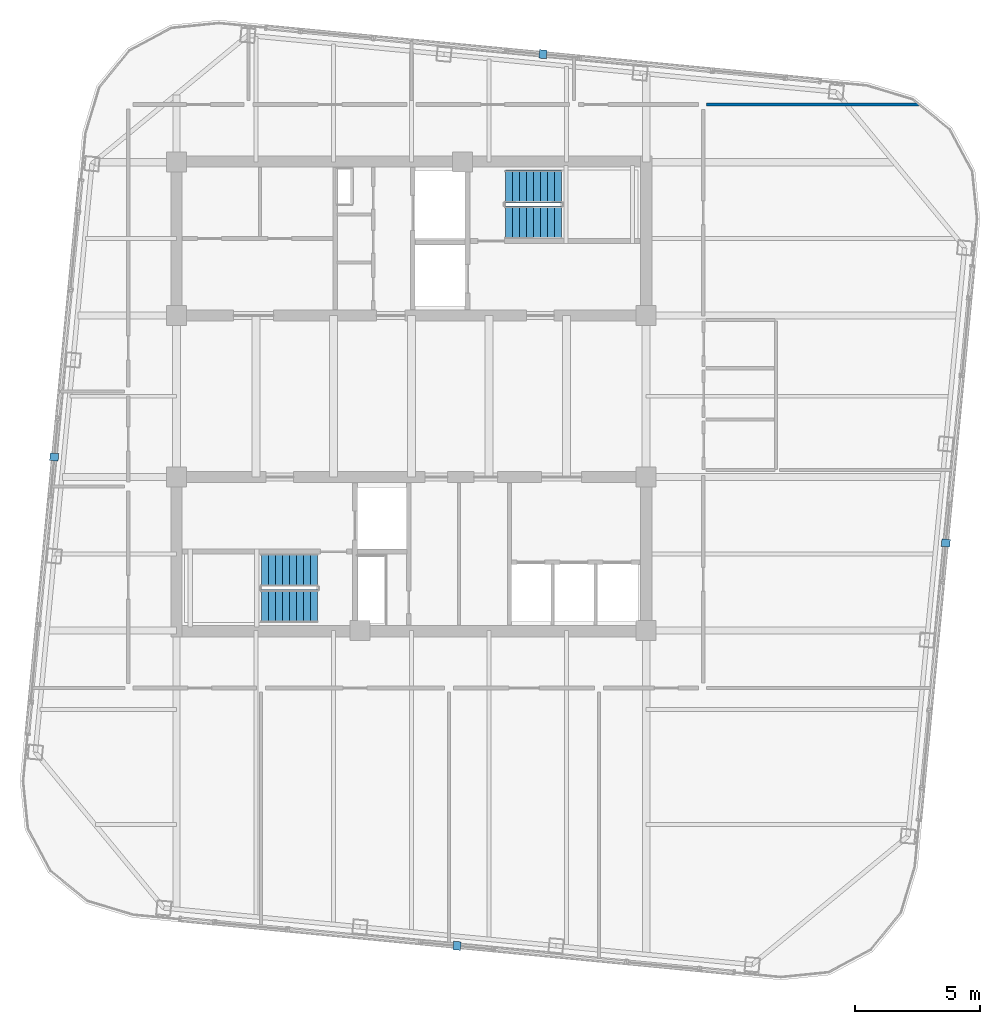
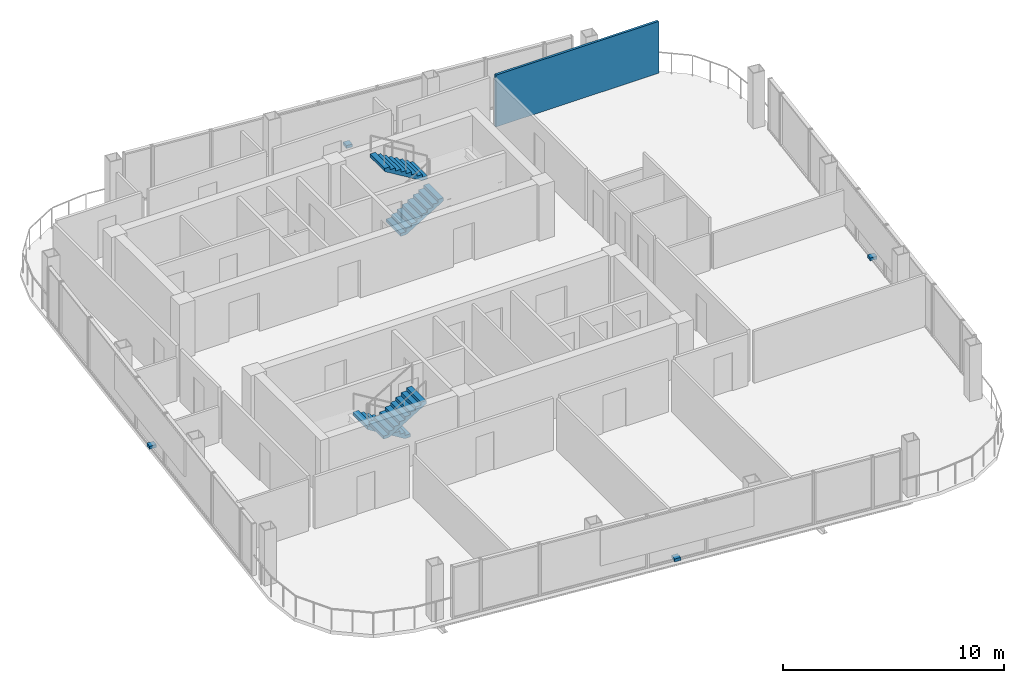
# One storey, part 19 of 23: 4 discrete accessories, 4 stair flights, 1 wall, 2 elements without a shape of their own.
"""IFC4 building model written with IfcOpenShell, lengths in metres."""

from ifc_helpers import new_model, si_unit, direction, frame, frame_2d, origin, origin_2d, place, context, subcontext, project, spatial, polyline, rectangle, outline, extrude, material, layer, layer_set, type_object, element, aggregate, save


model = new_model("IFC4")

# Units and contexts
model_context = context("Model", 3, precision=1e-05, world=origin(), true_north=direction((0.0, 1.0)))
body_context = subcontext(model_context, "Body", "Model", "MODEL_VIEW")
ifc_project = project(units=[si_unit("LENGTHUNIT", "METRE"), si_unit("AREAUNIT", "SQUARE_METRE"), si_unit("VOLUMEUNIT", "CUBIC_METRE"), si_unit("PLANEANGLEUNIT", "RADIAN"), si_unit("MASSUNIT", "GRAM", prefix="KILO")], contexts=[model_context])

# Site, building, storey
site_placement = place(None, origin())
site = spatial("IfcSite", under=ifc_project, at=site_placement, CompositionType="ELEMENT")
building_placement = place(site_placement, origin())
building = spatial("IfcBuilding", under=site, at=building_placement, Name="Qhalaya Broadcast Tower", CompositionType="ELEMENT")
storey_placement = place(building_placement, frame((0.0, 0.0, 261.14990234375)))
storey = spatial("IfcBuildingStorey", under=building, at=storey_placement, Name="L77", CompositionType="ELEMENT", Elevation=261.14990234375)

# Wall
ifc_material_1 = material(Name="Gypsum Acoustic Partition")
ifc_layer = layer(ifc_material_1, 0.1201171875, Name="Gypsum Acoustic Partition")
ifc_layer_set = layer_set([ifc_layer], Name="Gypsum Acoustic Partition")
wall_type = type_object("IfcWallType", Name="Office, Booth & Sanitary Partition 120", PredefinedType="PARTITIONING", material=ifc_layer_set)
wall_placement = place(storey_placement, frame((11.7900390625, 12.25, 0.0), z_axis=(0.0, 0.0, 1.0), x_axis=(1.0, 0.0, 0.0)))
element("IfcWall", 1, at=wall_placement, inside=storey, type_object=wall_type, Name="L77 Partition Wall W-BNDE1", PredefinedType="PARTITIONING", context=body_context, shape_type="SweptSolid", body=[
    extrude(rectangle(XDim=8.484130859375, YDim=0.1201171875, at=frame_2d((4.2421875, 0.0))), origin(), (0.0, 0.0, 1.0), 2.860107421875),
])

# Stair, stair flights
ifc_material_2 = material(Name="Concrete C40/50", Category="concrete")
stair_type = type_object("IfcStairType", Name="Protected Dogleg Core Stair 3150", PredefinedType="TWO_STRAIGHT_RUN_STAIR", material=ifc_material_2)
stair_1_placement = place(storey_placement, origin())
stair_1 = element("IfcStair", 2, at=stair_1_placement, inside=storey, type_object=stair_type, Name="L77 North Core Exit Stair ST-1", PredefinedType="TWO_STRAIGHT_RUN_STAIR")
ifc_material_3 = material(Name="Precast Concrete C40/50", Category="concrete")
stair_flight_type = type_object("IfcStairFlightType", Name="Precast Concrete Stair Flight 3150", PredefinedType="STRAIGHT", material=ifc_material_3)
stair_flight_1_placement = place(storey_placement, frame((3.75, 7.5400390625, 0.0), z_axis=(0.0, 0.0, 1.0), x_axis=(1.0, 0.0, 0.0)))
stair_flight_1 = element("IfcStairFlight", 3, at=stair_flight_1_placement, type_object=stair_flight_type, Name="ST-1 flight 1", NumberOfRisers=9, NumberOfTreads=8, PredefinedType="STRAIGHT", RiserHeight=0.169444444, TreadLength=0.28, context=body_context, shape_type="SweptSolid", body=[
    extrude(outline(polyline([(0.0, 0.0), (0.0, 0.16943359375), (0.280029296875, 0.16943359375), (0.280029296875, 0.3388671875), (0.56005859375, 0.3388671875), (0.56005859375, 0.50830078125), (0.840087890625, 0.50830078125), (0.840087890625, 0.677734375), (1.1201171875, 0.677734375), (1.1201171875, 0.84716796875), (1.39990234375, 0.84716796875), (1.39990234375, 1.0166015625), (1.679931640625, 1.0166015625), (1.679931640625, 1.18603515625), (1.9599609375, 1.18603515625), (1.9599609375, 1.35546875), (2.239990234375, 1.35546875), (2.239990234375, 1.52490234375), (2.239990234375, 1.180419921875), (0.28955078125, 0.0), (0.0, 0.0)])), frame((0.0, 0.66015625, 0.0), z_axis=(0.0, -1.0, 0.0), x_axis=(1.0, 0.0, 0.0)), (0.0, 0.0, 1.0), 1.320068359375),
])
stair_flight_2_placement = place(storey_placement, frame((5.989990234375, 8.97998046875, 1.525146484375), z_axis=(0.0, 0.0, 1.0), x_axis=(-1.0, 0.0, 0.0)))
stair_flight_2 = element("IfcStairFlight", 4, at=stair_flight_2_placement, type_object=stair_flight_type, Name="ST-1 flight 2", NumberOfRisers=9, NumberOfTreads=8, PredefinedType="STRAIGHT", RiserHeight=0.169444444, TreadLength=0.28, context=body_context, shape_type="SweptSolid", body=[
    extrude(outline(polyline([(0.0, 0.0), (0.0, 0.16943359375), (0.280029296875, 0.16943359375), (0.280029296875, 0.3388671875), (0.56005859375, 0.3388671875), (0.56005859375, 0.50830078125), (0.840087890625, 0.50830078125), (0.840087890625, 0.677734375), (1.1201171875, 0.677734375), (1.1201171875, 0.84716796875), (1.39990234375, 0.84716796875), (1.39990234375, 1.0166015625), (1.679931640625, 1.0166015625), (1.679931640625, 1.18603515625), (1.9599609375, 1.18603515625), (1.9599609375, 1.35546875), (2.239990234375, 1.35546875), (2.239990234375, 1.52490234375), (2.239990234375, 1.180419921875), (0.28955078125, 0.0), (0.0, 0.0)])), frame((0.0, 0.66015625, 0.0), z_axis=(0.0, -1.0, 0.0), x_axis=(1.0, 0.0, 0.0)), (0.0, 0.0, 1.0), 1.320068359375),
])
aggregate(stair_1, [stair_flight_1, stair_flight_2])

stair_2_placement = place(storey_placement, origin())
stair_2 = element("IfcStair", 5, at=stair_2_placement, inside=storey, type_object=stair_type, Name="L77 South Core Exit Stair ST-2", PredefinedType="TWO_STRAIGHT_RUN_STAIR")
stair_flight_3_placement = place(storey_placement, frame((-3.75, -6.340087890625, 0.0), z_axis=(0.0, 0.0, 1.0), x_axis=(-1.0, 0.0, 0.0)))
stair_flight_3 = element("IfcStairFlight", 6, at=stair_flight_3_placement, type_object=stair_flight_type, Name="ST-2 flight 1", NumberOfRisers=9, NumberOfTreads=8, PredefinedType="STRAIGHT", RiserHeight=0.169444444, TreadLength=0.28, context=body_context, shape_type="SweptSolid", body=[
    extrude(outline(polyline([(0.0, 0.0), (0.0, 0.16943359375), (0.280029296875, 0.16943359375), (0.280029296875, 0.3388671875), (0.56005859375, 0.3388671875), (0.56005859375, 0.50830078125), (0.840087890625, 0.50830078125), (0.840087890625, 0.677734375), (1.1201171875, 0.677734375), (1.1201171875, 0.84716796875), (1.39990234375, 0.84716796875), (1.39990234375, 1.0166015625), (1.679931640625, 1.0166015625), (1.679931640625, 1.18603515625), (1.9599609375, 1.18603515625), (1.9599609375, 1.35546875), (2.239990234375, 1.35546875), (2.239990234375, 1.52490234375), (2.239990234375, 1.180419921875), (0.28955078125, 0.0), (0.0, 0.0)])), frame((0.0, 0.66015625, 0.0), z_axis=(0.0, -1.0, 0.0), x_axis=(1.0, 0.0, 0.0)), (0.0, 0.0, 1.0), 1.320068359375),
])
stair_flight_4_placement = place(storey_placement, frame((-5.989990234375, -7.780029296875, 1.525146484375), z_axis=(0.0, 0.0, 1.0), x_axis=(1.0, 0.0, 0.0)))
stair_flight_4 = element("IfcStairFlight", 7, at=stair_flight_4_placement, type_object=stair_flight_type, Name="ST-2 flight 2", NumberOfRisers=9, NumberOfTreads=8, PredefinedType="STRAIGHT", RiserHeight=0.169444444, TreadLength=0.28, context=body_context, shape_type="SweptSolid", body=[
    extrude(outline(polyline([(0.0, 0.0), (0.0, 0.16943359375), (0.280029296875, 0.16943359375), (0.280029296875, 0.3388671875), (0.56005859375, 0.3388671875), (0.56005859375, 0.50830078125), (0.840087890625, 0.50830078125), (0.840087890625, 0.677734375), (1.1201171875, 0.677734375), (1.1201171875, 0.84716796875), (1.39990234375, 0.84716796875), (1.39990234375, 1.0166015625), (1.679931640625, 1.0166015625), (1.679931640625, 1.18603515625), (1.9599609375, 1.18603515625), (1.9599609375, 1.35546875), (2.239990234375, 1.35546875), (2.239990234375, 1.52490234375), (2.239990234375, 1.180419921875), (0.28955078125, 0.0), (0.0, 0.0)])), frame((0.0, 0.66015625, 0.0), z_axis=(0.0, -1.0, 0.0), x_axis=(1.0, 0.0, 0.0)), (0.0, 0.0, 1.0), 1.320068359375),
])
aggregate(stair_2, [stair_flight_3, stair_flight_4])

# Discrete accessories
ifc_material_4 = material(Name="Structural Steel ASTM A572 Grade 50", Category="steel")
discrete_accessory_type = type_object("IfcDiscreteAccessoryType", Name="Facade Baguette Support Bracket BRK-01", PredefinedType="BRACKET", material=ifc_material_4)
for number, where, z_axis, x_axis, name in (
    (8, (1.826171875, -21.337646484375, 0.0), (0.0, 0.0, 1.0), (0.995396198367, -0.09584575252, 0.0), "L77 Baguette Support Bracket S"),
    (9, (21.337646484375, -5.25390625, 0.0), (0.0, 0.0, 1.0), (0.09584575252, 0.995396198367, 0.0), "L77 Baguette Support Bracket E"),
    (10, (5.25390625, 14.2578125, 0.0), (0.0, 0.0, 1.0), (-0.995396198367, 0.09584575252, 0.0), "L77 Baguette Support Bracket N"),
    (11, (-14.2578125, -1.826171875, 0.0), (0.0, 0.0, 1.0), (-0.09584575252, -0.995396198367, 0.0), "L77 Baguette Support Bracket W"),
):
    element("IfcDiscreteAccessory", number, at=place(storey_placement, frame(where, z_axis=z_axis, x_axis=x_axis)), inside=storey, type_object=discrete_accessory_type, Name=name, PredefinedType="BRACKET", context=body_context, shape_type="SweptSolid", body=[
        extrude(rectangle(XDim=0.300048828125, YDim=0.340087890625, at=origin_2d()), origin(), (0.0, 0.0, 1.0), 0.159912109375),
    ])

save(model, "model.ifc")
